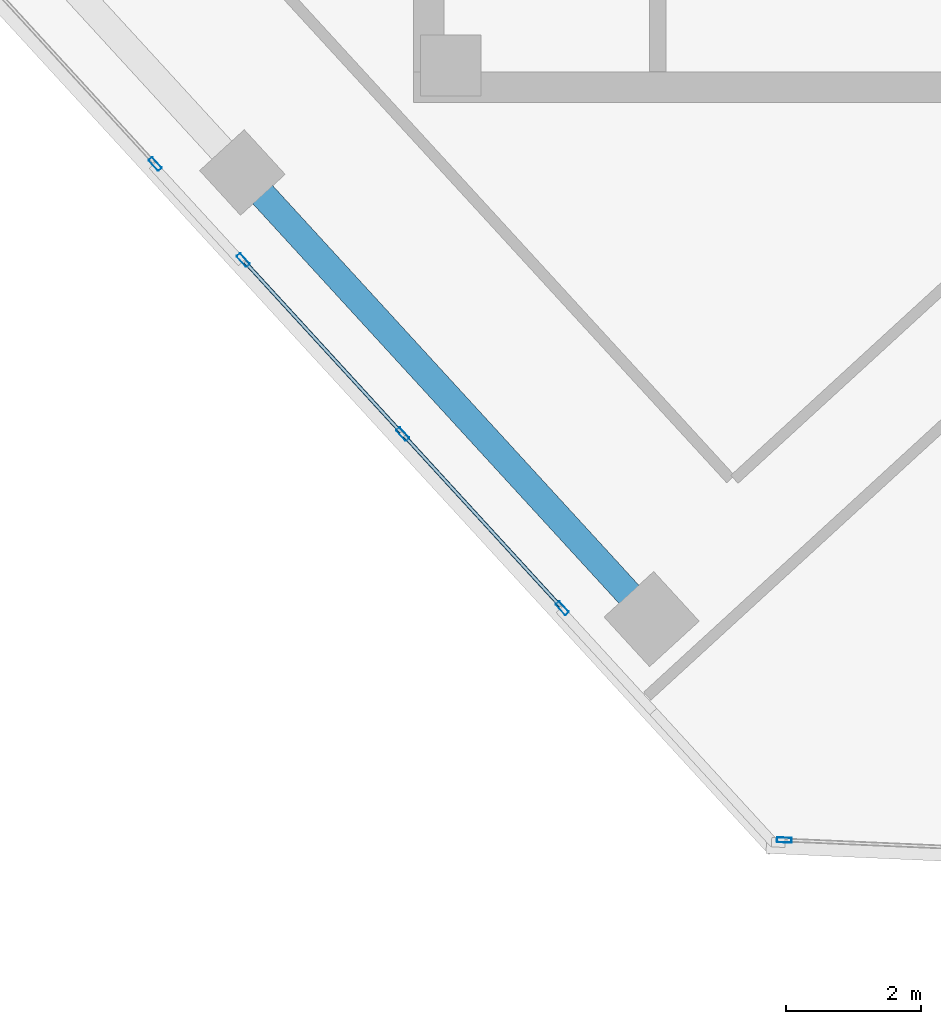
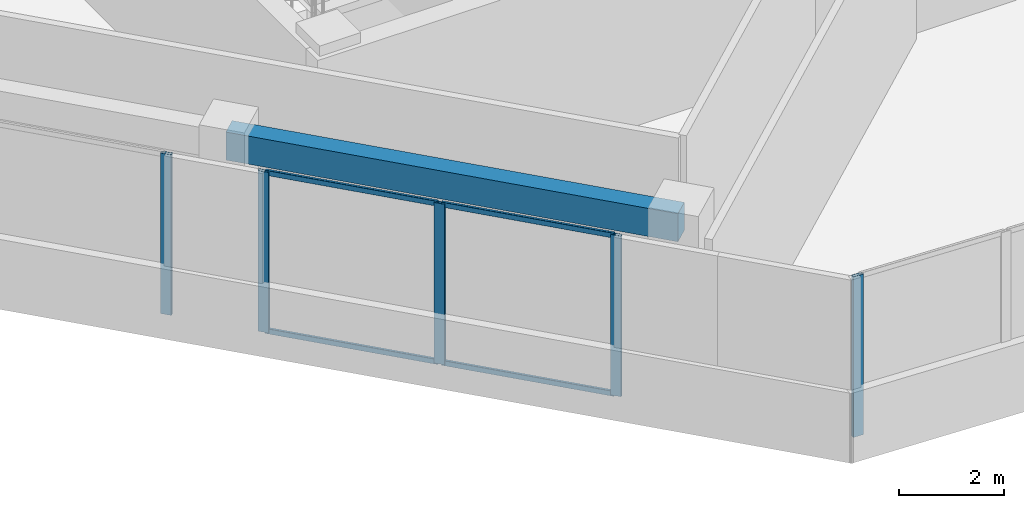
# One storey, part 2 of 18: 9 members, 1 beam, 3 elements without a shape of their own.
"""IFC4 building model written with IfcOpenShell, lengths in metres."""

from ifc_helpers import new_model, si_unit, direction, frame, origin, origin_2d, place, context, subcontext, project, spatial, rectangle, hollow_rectangle, extrude, source, transform, mapped, material, material_profile, profile_set, type_object, element, aggregate, save


model = new_model("IFC4")

# Units and contexts
model_context = context("Model", 3, precision=1e-05, world=origin(), true_north=direction((0.0, 1.0)))
body_context = subcontext(model_context, "Body", "Model", "MODEL_VIEW")
ifc_project = project(units=[si_unit("LENGTHUNIT", "METRE"), si_unit("AREAUNIT", "SQUARE_METRE"), si_unit("VOLUMEUNIT", "CUBIC_METRE"), si_unit("PLANEANGLEUNIT", "RADIAN"), si_unit("MASSUNIT", "GRAM", prefix="KILO")], contexts=[model_context])

# Site, building, storey
site_placement = place(None, origin())
site = spatial("IfcSite", under=ifc_project, at=site_placement, CompositionType="ELEMENT")
building_placement = place(site_placement, origin())
building = spatial("IfcBuilding", under=site, at=building_placement, Name="Torre Montelarca", CompositionType="ELEMENT")
storey_placement = place(building_placement, frame((0.0, 0.0, 258.39990234375)))
storey = spatial("IfcBuildingStorey", under=building, at=storey_placement, Name="L58", CompositionType="ELEMENT", Elevation=258.39990234375)

# Beam
ifc_material_1 = material(Name="Concrete C40/50", Category="concrete")
ifc_material_profile_1 = material_profile(ifc_material_1, rectangle(XDim=0.39990234375, YDim=0.64990234375, at=origin_2d()), Name="RCB400X650", Category="concrete")
ifc_profile_set_1 = profile_set([ifc_material_profile_1], Name="Concrete C40/50")
beam_type = type_object("IfcBeamType", Name="BM-SP-RC650-EXT", PredefinedType="SPANDREL", material=ifc_profile_set_1)
shared_shape_1 = source(origin(), body_context, "Body", "SweptSolid", [
    extrude(rectangle(XDim=0.39990234375, YDim=0.64990234375, at=origin_2d()), origin(), (0.0, 0.0, 1.0), 9.0),
])
beam_placement = place(storey_placement, frame((6.454345703125, 22.960205078125, 3.635009765625), z_axis=(0.675590724023, -0.73727686361, 0.0), x_axis=(0.73727686361, 0.675590724023, 0.0)))
element("IfcBeam", 1, at=beam_placement, inside=storey, type_object=beam_type, Name="L58 Grid Girder X 18.0-27.0 at Y=14.8", PredefinedType="SPANDREL", context=body_context, shape_type="MappedRepresentation", body=[
    mapped(shared_shape_1, transform((0.0, 0.0, 0.0), scale=1.0)),
])

# Curtain wall, member
ifc_material_2 = material(Name="Insulated low-E laminated glass", Category="glass")
curtain_wall_type = type_object("IfcCurtainWallType", Name="CW-SYS-Z3", PredefinedType="USERDEFINED", material=ifc_material_2)
curtain_wall_1_placement = place(storey_placement, origin())
curtain_wall_1 = element("IfcCurtainWall", 2, at=curtain_wall_1_placement, inside=storey, type_object=curtain_wall_type, Name="L58 Curtain Wall Run CW-T3-L58-E01-B1", ObjectType="UNITISED GLAZING", PredefinedType="USERDEFINED")
ifc_material_3 = material(Name="Anodised aluminium AA 6063-T6", Category="aluminium")
ifc_material_profile_2 = material_profile(ifc_material_3, hollow_rectangle(XDim=0.074951171875, YDim=0.219970703125, WallThickness=0.0048828125, InnerFilletRadius=0.0048828125, OuterFilletRadius=0.010009765625, at=origin_2d()), Name="ALU75X220X5", Category="aluminium")
ifc_profile_set_2 = profile_set([ifc_material_profile_2], Name="Anodised aluminium AA 6063-T6")
member_type_1 = type_object("IfcMemberType", Name="CWM-ALU220", PredefinedType="MULLION", material=ifc_profile_set_2)
shared_shape_2 = source(origin(), body_context, "Body", "SweptSolid", [
    extrude(hollow_rectangle(XDim=0.074951171875, YDim=0.219970703125, WallThickness=0.0048828125, InnerFilletRadius=0.0048828125, OuterFilletRadius=0.010009765625, at=origin_2d()), origin(), (0.0, 0.0, 1.0), 3.72021484375),
])
member_1_placement = place(storey_placement, frame((5.1591796875, 23.0859375, 0.0), z_axis=(0.0, 0.0, 1.0), x_axis=(0.737280864372, 0.675586357937, 0.0)))
member_1 = element("IfcMember", 3, at=member_1_placement, type_object=member_type_1, Name="CW mullion 3", PredefinedType="MULLION", context=body_context, shape_type="MappedRepresentation", body=[
    mapped(shared_shape_2, transform((0.0, 0.0, 0.0), scale=1.0)),
])
aggregate(curtain_wall_1, [member_1])

# Curtain wall, members
curtain_wall_2_placement = place(storey_placement, origin())
curtain_wall_2 = element("IfcCurtainWall", 4, at=curtain_wall_2_placement, inside=storey, type_object=curtain_wall_type, Name="L58 Curtain Wall Run CW-T3-L58-E01-B2", ObjectType="UNITISED GLAZING", PredefinedType="USERDEFINED")
member_2_placement = place(storey_placement, frame((6.466552734375, 21.6591796875, 0.0), z_axis=(0.0, 0.0, 1.0), x_axis=(0.737280002646, 0.675587298355, 0.0)))
member_2 = element("IfcMember", 5, at=member_2_placement, type_object=member_type_1, Name="CW mullion 1", PredefinedType="MULLION", context=body_context, shape_type="MappedRepresentation", body=[
    mapped(shared_shape_2, transform((0.0, 0.0, 0.0), scale=1.0)),
])
member_3_placement = place(storey_placement, frame((8.836181640625, 19.0732421875, 0.0), z_axis=(0.0, 0.0, 1.0), x_axis=(0.737280002646, 0.675587298355, 0.0)))
member_3 = element("IfcMember", 6, at=member_3_placement, type_object=member_type_1, Name="CW mullion 2", PredefinedType="MULLION", context=body_context, shape_type="MappedRepresentation", body=[
    mapped(shared_shape_2, transform((0.0, 0.0, 0.0), scale=1.0)),
])
member_4_placement = place(storey_placement, frame((11.205810546875, 16.4873046875, 0.0), z_axis=(0.0, 0.0, 1.0), x_axis=(0.737280002646, 0.675587298355, 0.0)))
member_4 = element("IfcMember", 7, at=member_4_placement, type_object=member_type_1, Name="CW mullion 3", PredefinedType="MULLION", context=body_context, shape_type="MappedRepresentation", body=[
    mapped(shared_shape_2, transform((0.0, 0.0, 0.0), scale=1.0)),
])

# Curtain wall, member
curtain_wall_3_placement = place(storey_placement, origin())
curtain_wall_3 = element("IfcCurtainWall", 8, at=curtain_wall_3_placement, inside=storey, type_object=curtain_wall_type, Name="L58 Curtain Wall Run CW-T3-L58-E02-B1", ObjectType="UNITISED GLAZING", PredefinedType="USERDEFINED")
member_5_placement = place(storey_placement, frame((14.505859375, 13.042236328125, 0.0), z_axis=(0.0, 0.0, 1.0), x_axis=(0.043610133473, 0.999048625573, 0.0)))
member_5 = element("IfcMember", 9, at=member_5_placement, type_object=member_type_1, Name="CW mullion 1", PredefinedType="MULLION", context=body_context, shape_type="MappedRepresentation", body=[
    mapped(shared_shape_2, transform((0.0, 0.0, 0.0), scale=1.0)),
])
aggregate(curtain_wall_3, [member_5])

# Member
ifc_material_profile_3 = material_profile(ifc_material_3, hollow_rectangle(XDim=0.054931640625, YDim=0.1201171875, WallThickness=0.00341796875, InnerFilletRadius=0.00341796875, OuterFilletRadius=0.007080078125, at=origin_2d()), Name="ALU55X120X3.5", Category="aluminium")
ifc_profile_set_3 = profile_set([ifc_material_profile_3], Name="Anodised aluminium AA 6063-T6")
member_type_2 = type_object("IfcMemberType", Name="CWT-ALU120", PredefinedType="USERDEFINED", material=ifc_profile_set_3)
shared_shape_3 = source(origin(), body_context, "Body", "SweptSolid", [
    extrude(hollow_rectangle(XDim=0.054931640625, YDim=0.1201171875, WallThickness=0.00341796875, InnerFilletRadius=0.00341796875, OuterFilletRadius=0.007080078125, at=origin_2d()), origin(), (0.0, 0.0, 1.0), 3.432373046875),
])
member_6_placement = place(storey_placement, frame((6.491943359375, 21.631591796875, 0.027587890625), z_axis=(0.675563570289, -0.737301744538, 0.0), x_axis=(0.737301744538, 0.675563570289, 0.0)))
member_6 = element("IfcMember", 10, at=member_6_placement, type_object=member_type_2, Name="CW transom 1.1", ObjectType="TRANSOM", PredefinedType="USERDEFINED", context=body_context, shape_type="MappedRepresentation", body=[
    mapped(shared_shape_3, transform((0.0, 0.0, 0.0), scale=1.0)),
])

member_7_placement = place(storey_placement, frame((6.491943359375, 21.631591796875, 3.692626953125), z_axis=(0.675563570289, -0.737301744538, 0.0), x_axis=(0.737301744538, 0.675563570289, 0.0)))
member_7 = element("IfcMember", 11, at=member_7_placement, type_object=member_type_2, Name="CW transom 1.2", ObjectType="TRANSOM", PredefinedType="USERDEFINED", context=body_context, shape_type="MappedRepresentation", body=[
    mapped(shared_shape_3, transform((0.0, 0.0, 0.0), scale=1.0)),
])

member_8_placement = place(storey_placement, frame((8.861572265625, 19.045654296875, 0.027587890625), z_axis=(0.675563570289, -0.737301744538, 0.0), x_axis=(0.737301744538, 0.675563570289, 0.0)))
member_8 = element("IfcMember", 12, at=member_8_placement, type_object=member_type_2, Name="CW transom 2.1", ObjectType="TRANSOM", PredefinedType="USERDEFINED", context=body_context, shape_type="MappedRepresentation", body=[
    mapped(shared_shape_3, transform((0.0, 0.0, 0.0), scale=1.0)),
])

member_9_placement = place(storey_placement, frame((8.861572265625, 19.045654296875, 3.692626953125), z_axis=(0.675563570289, -0.737301744538, 0.0), x_axis=(0.737301744538, 0.675563570289, 0.0)))
member_9 = element("IfcMember", 13, at=member_9_placement, type_object=member_type_2, Name="CW transom 2.2", ObjectType="TRANSOM", PredefinedType="USERDEFINED", context=body_context, shape_type="MappedRepresentation", body=[
    mapped(shared_shape_3, transform((0.0, 0.0, 0.0), scale=1.0)),
])

aggregate(curtain_wall_2, [member_2, member_3, member_4, member_6, member_7, member_8, member_9])

save(model, "model.ifc")
